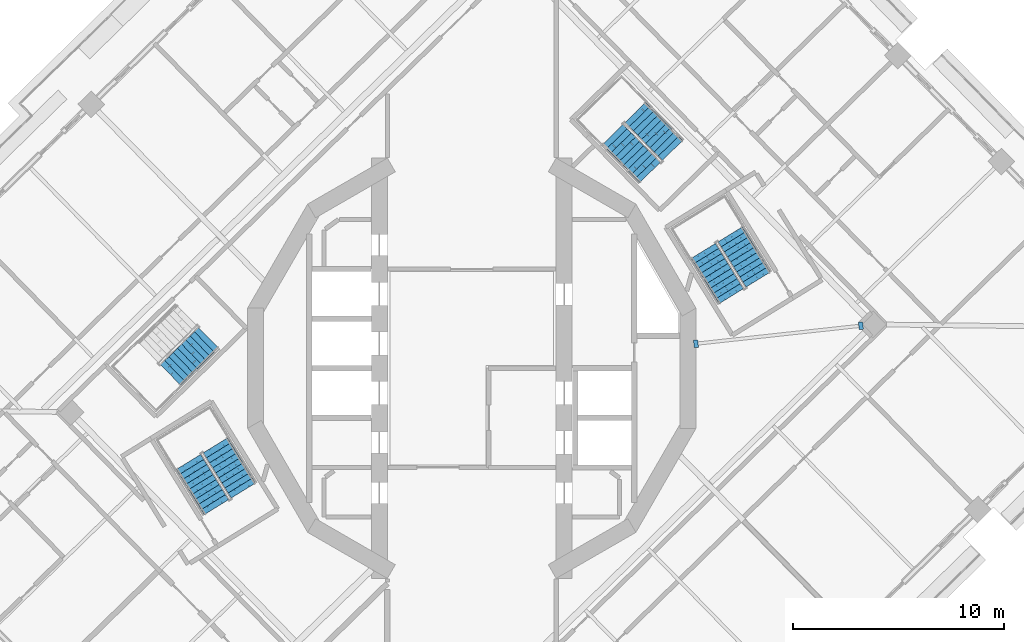
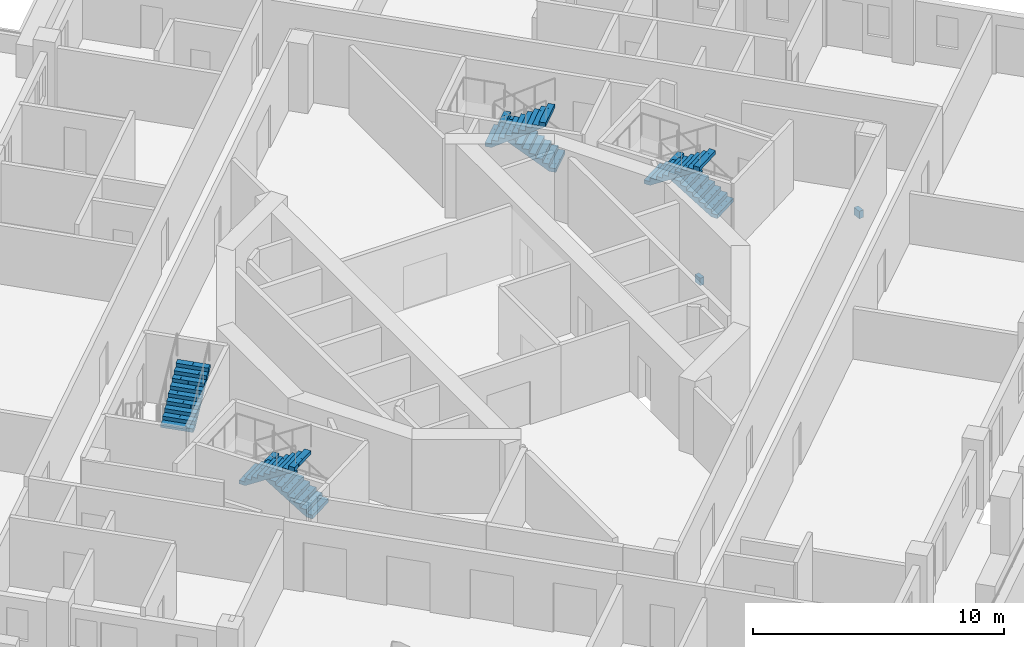
# One storey, part 11 of 17: 7 stair flights, 2 discrete accessories, 4 elements without a shape of their own.
"""IFC4 building model written with IfcOpenShell, lengths in metres."""

from ifc_helpers import new_model, si_unit, direction, frame, origin, place, context, subcontext, project, spatial, polyline, outline, extrude, material, layer, layer_set, type_object, element, aggregate, save


model = new_model("IFC4")

# Units and contexts
model_context = context("Model", 3, precision=1e-05, world=origin(), true_north=direction((0.0, 1.0)))
body_context = subcontext(model_context, "Body", "Model", "MODEL_VIEW")
ifc_project = project(units=[si_unit("LENGTHUNIT", "METRE"), si_unit("AREAUNIT", "SQUARE_METRE"), si_unit("VOLUMEUNIT", "CUBIC_METRE"), si_unit("PLANEANGLEUNIT", "RADIAN"), si_unit("MASSUNIT", "GRAM", prefix="KILO")], contexts=[model_context])

# Site, building, storey
site_placement = place(None, origin())
site = spatial("IfcSite", under=ifc_project, at=site_placement, CompositionType="ELEMENT")
building_placement = place(site_placement, origin())
building = spatial("IfcBuilding", under=site, at=building_placement, Name="Cantera Rosa Tower", CompositionType="ELEMENT")
storey_placement = place(building_placement, frame((0.0, 0.0, 237.800048828125)))
storey = spatial("IfcBuildingStorey", under=building, at=storey_placement, Name="L52", CompositionType="ELEMENT", Elevation=237.800048828125)

# Stair, stair flights
ifc_material_1 = material(Name="Concrete C35/45", Category="concrete")
stair_type = type_object("IfcStairType", Name="EXIT STAIR 1350 DOGLEG", PredefinedType="HALF_TURN_STAIR", material=ifc_material_1)
stair_1_placement = place(storey_placement, origin())
stair_1 = element("IfcStair", 1, at=stair_1_placement, inside=storey, type_object=stair_type, Name="L52 ST-41", PredefinedType="HALF_TURN_STAIR")
ifc_material_2 = material(Name="Concrete C35/45", Category="concrete")
stair_flight_type = type_object("IfcStairFlightType", Name="STAIR FLIGHT 1350 R20x180", PredefinedType="STRAIGHT", material=ifc_material_2)
stair_flight_1_placement = place(storey_placement, frame((13.5732421875, 4.2021484375, 0.0), z_axis=(0.0, 0.0, 1.0), x_axis=(-0.524976585286, 0.851116669383, 0.0)))
stair_flight_1 = element("IfcStairFlight", 2, at=stair_flight_1_placement, type_object=stair_flight_type, Name="ST-41 flight 1", NumberOfRisers=10, NumberOfTreads=9, PredefinedType="STRAIGHT", RiserHeight=0.18, TreadLength=0.28, context=body_context, shape_type="SweptSolid", body=[
    extrude(outline(polyline([(0.0, 0.0), (0.0, 0.179931640625), (0.280029296875, 0.179931640625), (0.280029296875, 0.360107421875), (0.56005859375, 0.360107421875), (0.56005859375, 0.5400390625), (0.840087890625, 0.5400390625), (0.840087890625, 0.719970703125), (1.1201171875, 0.719970703125), (1.1201171875, 0.89990234375), (1.39990234375, 0.89990234375), (1.39990234375, 1.080078125), (1.679931640625, 1.080078125), (1.679931640625, 1.260009765625), (1.9599609375, 1.260009765625), (1.9599609375, 1.43994140625), (2.239990234375, 1.43994140625), (2.239990234375, 1.6201171875), (2.52001953125, 1.6201171875), (2.52001953125, 1.800048828125), (2.52001953125, 1.44189453125), (0.277099609375, 0.0), (0.0, 0.0)])), frame((0.0, 0.675048828125, 0.0), z_axis=(0.0, -1.0, 0.0), x_axis=(1.0, 0.0, 0.0)), (0.0, 0.0, 1.0), 0.3359375),
    extrude(outline(polyline([(0.0, 0.0), (0.0, 0.179931640625), (0.280029296875, 0.179931640625), (0.280029296875, 0.360107421875), (0.56005859375, 0.360107421875), (0.56005859375, 0.5400390625), (0.840087890625, 0.5400390625), (0.840087890625, 0.719970703125), (1.1201171875, 0.719970703125), (1.1201171875, 0.89990234375), (1.39990234375, 0.89990234375), (1.39990234375, 1.080078125), (1.679931640625, 1.080078125), (1.679931640625, 1.260009765625), (1.9599609375, 1.260009765625), (1.9599609375, 1.43994140625), (2.239990234375, 1.43994140625), (2.239990234375, 1.6201171875), (2.52001953125, 1.6201171875), (2.52001953125, 1.800048828125), (2.52001953125, 1.44189453125), (0.277099609375, 0.0), (0.0, 0.0)])), frame((0.0, 0.337158203125, 0.0), z_axis=(0.0, -1.0, 0.0), x_axis=(1.0, 0.0, 0.0)), (0.0, 0.0, 1.0), 0.3359375),
    extrude(outline(polyline([(0.0, 0.0), (0.0, 0.179931640625), (0.280029296875, 0.179931640625), (0.280029296875, 0.360107421875), (0.56005859375, 0.360107421875), (0.56005859375, 0.5400390625), (0.840087890625, 0.5400390625), (0.840087890625, 0.719970703125), (1.1201171875, 0.719970703125), (1.1201171875, 0.89990234375), (1.39990234375, 0.89990234375), (1.39990234375, 1.080078125), (1.679931640625, 1.080078125), (1.679931640625, 1.260009765625), (1.9599609375, 1.260009765625), (1.9599609375, 1.43994140625), (2.239990234375, 1.43994140625), (2.239990234375, 1.6201171875), (2.52001953125, 1.6201171875), (2.52001953125, 1.800048828125), (2.52001953125, 1.44189453125), (0.277099609375, 0.0), (0.0, 0.0)])), frame((0.0, -0.000732421875, 0.0), z_axis=(0.0, -1.0, 0.0), x_axis=(1.0, 0.0, 0.0)), (0.0, 0.0, 1.0), 0.3359375),
    extrude(outline(polyline([(0.0, 0.0), (0.0, 0.179931640625), (0.280029296875, 0.179931640625), (0.280029296875, 0.360107421875), (0.56005859375, 0.360107421875), (0.56005859375, 0.5400390625), (0.840087890625, 0.5400390625), (0.840087890625, 0.719970703125), (1.1201171875, 0.719970703125), (1.1201171875, 0.89990234375), (1.39990234375, 0.89990234375), (1.39990234375, 1.080078125), (1.679931640625, 1.080078125), (1.679931640625, 1.260009765625), (1.9599609375, 1.260009765625), (1.9599609375, 1.43994140625), (2.239990234375, 1.43994140625), (2.239990234375, 1.6201171875), (2.52001953125, 1.6201171875), (2.52001953125, 1.800048828125), (2.52001953125, 1.44189453125), (0.277099609375, 0.0), (0.0, 0.0)])), frame((0.0, -0.338623046875, 0.0), z_axis=(0.0, -1.0, 0.0), x_axis=(1.0, 0.0, 0.0)), (0.0, 0.0, 1.0), 0.3359375),
])
stair_flight_2_placement = place(storey_placement, frame((10.9736328125, 5.5595703125, 1.800048828125), z_axis=(0.0, 0.0, 1.0), x_axis=(0.524976585286, -0.851116669383, 0.0)))
stair_flight_2 = element("IfcStairFlight", 3, at=stair_flight_2_placement, type_object=stair_flight_type, Name="ST-41 flight 2", NumberOfRisers=10, NumberOfTreads=9, PredefinedType="STRAIGHT", RiserHeight=0.18, TreadLength=0.28, context=body_context, shape_type="SweptSolid", body=[
    extrude(outline(polyline([(0.0, 0.0), (0.0, 0.179931640625), (0.280029296875, 0.179931640625), (0.280029296875, 0.360107421875), (0.56005859375, 0.360107421875), (0.56005859375, 0.5400390625), (0.840087890625, 0.5400390625), (0.840087890625, 0.719970703125), (1.1201171875, 0.719970703125), (1.1201171875, 0.89990234375), (1.39990234375, 0.89990234375), (1.39990234375, 1.080078125), (1.679931640625, 1.080078125), (1.679931640625, 1.260009765625), (1.9599609375, 1.260009765625), (1.9599609375, 1.43994140625), (2.239990234375, 1.43994140625), (2.239990234375, 1.6201171875), (2.52001953125, 1.6201171875), (2.52001953125, 1.800048828125), (2.52001953125, 1.44189453125), (0.277099609375, 0.0), (0.0, 0.0)])), frame((0.0, 0.675048828125, 0.0), z_axis=(0.0, -1.0, 0.0), x_axis=(1.0, 0.0, 0.0)), (0.0, 0.0, 1.0), 0.3359375),
    extrude(outline(polyline([(0.0, 0.0), (0.0, 0.179931640625), (0.280029296875, 0.179931640625), (0.280029296875, 0.360107421875), (0.56005859375, 0.360107421875), (0.56005859375, 0.5400390625), (0.840087890625, 0.5400390625), (0.840087890625, 0.719970703125), (1.1201171875, 0.719970703125), (1.1201171875, 0.89990234375), (1.39990234375, 0.89990234375), (1.39990234375, 1.080078125), (1.679931640625, 1.080078125), (1.679931640625, 1.260009765625), (1.9599609375, 1.260009765625), (1.9599609375, 1.43994140625), (2.239990234375, 1.43994140625), (2.239990234375, 1.6201171875), (2.52001953125, 1.6201171875), (2.52001953125, 1.800048828125), (2.52001953125, 1.44189453125), (0.277099609375, 0.0), (0.0, 0.0)])), frame((0.0, 0.337158203125, 0.0), z_axis=(0.0, -1.0, 0.0), x_axis=(1.0, 0.0, 0.0)), (0.0, 0.0, 1.0), 0.3359375),
    extrude(outline(polyline([(0.0, 0.0), (0.0, 0.179931640625), (0.280029296875, 0.179931640625), (0.280029296875, 0.360107421875), (0.56005859375, 0.360107421875), (0.56005859375, 0.5400390625), (0.840087890625, 0.5400390625), (0.840087890625, 0.719970703125), (1.1201171875, 0.719970703125), (1.1201171875, 0.89990234375), (1.39990234375, 0.89990234375), (1.39990234375, 1.080078125), (1.679931640625, 1.080078125), (1.679931640625, 1.260009765625), (1.9599609375, 1.260009765625), (1.9599609375, 1.43994140625), (2.239990234375, 1.43994140625), (2.239990234375, 1.6201171875), (2.52001953125, 1.6201171875), (2.52001953125, 1.800048828125), (2.52001953125, 1.44189453125), (0.277099609375, 0.0), (0.0, 0.0)])), frame((0.0, -0.000732421875, 0.0), z_axis=(0.0, -1.0, 0.0), x_axis=(1.0, 0.0, 0.0)), (0.0, 0.0, 1.0), 0.3359375),
    extrude(outline(polyline([(0.0, 0.0), (0.0, 0.179931640625), (0.280029296875, 0.179931640625), (0.280029296875, 0.360107421875), (0.56005859375, 0.360107421875), (0.56005859375, 0.5400390625), (0.840087890625, 0.5400390625), (0.840087890625, 0.719970703125), (1.1201171875, 0.719970703125), (1.1201171875, 0.89990234375), (1.39990234375, 0.89990234375), (1.39990234375, 1.080078125), (1.679931640625, 1.080078125), (1.679931640625, 1.260009765625), (1.9599609375, 1.260009765625), (1.9599609375, 1.43994140625), (2.239990234375, 1.43994140625), (2.239990234375, 1.6201171875), (2.52001953125, 1.6201171875), (2.52001953125, 1.800048828125), (2.52001953125, 1.44189453125), (0.277099609375, 0.0), (0.0, 0.0)])), frame((0.0, -0.338623046875, 0.0), z_axis=(0.0, -1.0, 0.0), x_axis=(1.0, 0.0, 0.0)), (0.0, 0.0, 1.0), 0.3359375),
])
aggregate(stair_1, [stair_flight_1, stair_flight_2])

stair_2_placement = place(storey_placement, origin())
stair_2 = element("IfcStair", 4, at=stair_2_placement, inside=storey, type_object=stair_type, Name="L52 ST-42", PredefinedType="HALF_TURN_STAIR")
stair_flight_3_placement = place(storey_placement, frame((9.514892578125, 10.32275390625, 0.0), z_axis=(0.0, 0.0, 1.0), x_axis=(-0.698831536207, 0.715286295132, 0.0)))
stair_flight_3 = element("IfcStairFlight", 5, at=stair_flight_3_placement, type_object=stair_flight_type, Name="ST-42 flight 1", NumberOfRisers=10, NumberOfTreads=9, PredefinedType="STRAIGHT", RiserHeight=0.18, TreadLength=0.28, context=body_context, shape_type="SweptSolid", body=[
    extrude(outline(polyline([(0.0, 0.0), (0.0, 0.179931640625), (0.280029296875, 0.179931640625), (0.280029296875, 0.360107421875), (0.56005859375, 0.360107421875), (0.56005859375, 0.5400390625), (0.840087890625, 0.5400390625), (0.840087890625, 0.719970703125), (1.1201171875, 0.719970703125), (1.1201171875, 0.89990234375), (1.39990234375, 0.89990234375), (1.39990234375, 1.080078125), (1.679931640625, 1.080078125), (1.679931640625, 1.260009765625), (1.9599609375, 1.260009765625), (1.9599609375, 1.43994140625), (2.239990234375, 1.43994140625), (2.239990234375, 1.6201171875), (2.52001953125, 1.6201171875), (2.52001953125, 1.800048828125), (2.52001953125, 1.44189453125), (0.277099609375, 0.0), (0.0, 0.0)])), frame((0.0, 0.675048828125, 0.0), z_axis=(0.0, -1.0, 0.0), x_axis=(1.0, 0.0, 0.0)), (0.0, 0.0, 1.0), 0.3359375),
    extrude(outline(polyline([(0.0, 0.0), (0.0, 0.179931640625), (0.280029296875, 0.179931640625), (0.280029296875, 0.360107421875), (0.56005859375, 0.360107421875), (0.56005859375, 0.5400390625), (0.840087890625, 0.5400390625), (0.840087890625, 0.719970703125), (1.1201171875, 0.719970703125), (1.1201171875, 0.89990234375), (1.39990234375, 0.89990234375), (1.39990234375, 1.080078125), (1.679931640625, 1.080078125), (1.679931640625, 1.260009765625), (1.9599609375, 1.260009765625), (1.9599609375, 1.43994140625), (2.239990234375, 1.43994140625), (2.239990234375, 1.6201171875), (2.52001953125, 1.6201171875), (2.52001953125, 1.800048828125), (2.52001953125, 1.44189453125), (0.277099609375, 0.0), (0.0, 0.0)])), frame((0.0, 0.337158203125, 0.0), z_axis=(0.0, -1.0, 0.0), x_axis=(1.0, 0.0, 0.0)), (0.0, 0.0, 1.0), 0.3359375),
    extrude(outline(polyline([(0.0, 0.0), (0.0, 0.179931640625), (0.280029296875, 0.179931640625), (0.280029296875, 0.360107421875), (0.56005859375, 0.360107421875), (0.56005859375, 0.5400390625), (0.840087890625, 0.5400390625), (0.840087890625, 0.719970703125), (1.1201171875, 0.719970703125), (1.1201171875, 0.89990234375), (1.39990234375, 0.89990234375), (1.39990234375, 1.080078125), (1.679931640625, 1.080078125), (1.679931640625, 1.260009765625), (1.9599609375, 1.260009765625), (1.9599609375, 1.43994140625), (2.239990234375, 1.43994140625), (2.239990234375, 1.6201171875), (2.52001953125, 1.6201171875), (2.52001953125, 1.800048828125), (2.52001953125, 1.44189453125), (0.277099609375, 0.0), (0.0, 0.0)])), frame((0.0, -0.000732421875, 0.0), z_axis=(0.0, -1.0, 0.0), x_axis=(1.0, 0.0, 0.0)), (0.0, 0.0, 1.0), 0.3359375),
    extrude(outline(polyline([(0.0, 0.0), (0.0, 0.179931640625), (0.280029296875, 0.179931640625), (0.280029296875, 0.360107421875), (0.56005859375, 0.360107421875), (0.56005859375, 0.5400390625), (0.840087890625, 0.5400390625), (0.840087890625, 0.719970703125), (1.1201171875, 0.719970703125), (1.1201171875, 0.89990234375), (1.39990234375, 0.89990234375), (1.39990234375, 1.080078125), (1.679931640625, 1.080078125), (1.679931640625, 1.260009765625), (1.9599609375, 1.260009765625), (1.9599609375, 1.43994140625), (2.239990234375, 1.43994140625), (2.239990234375, 1.6201171875), (2.52001953125, 1.6201171875), (2.52001953125, 1.800048828125), (2.52001953125, 1.44189453125), (0.277099609375, 0.0), (0.0, 0.0)])), frame((0.0, -0.338623046875, 0.0), z_axis=(0.0, -1.0, 0.0), x_axis=(1.0, 0.0, 0.0)), (0.0, 0.0, 1.0), 0.3359375),
])
stair_flight_4_placement = place(storey_placement, frame((6.680908203125, 11.076904296875, 1.800048828125), z_axis=(0.0, 0.0, 1.0), x_axis=(0.698831536207, -0.715286295132, 0.0)))
stair_flight_4 = element("IfcStairFlight", 6, at=stair_flight_4_placement, type_object=stair_flight_type, Name="ST-42 flight 2", NumberOfRisers=10, NumberOfTreads=9, PredefinedType="STRAIGHT", RiserHeight=0.18, TreadLength=0.28, context=body_context, shape_type="SweptSolid", body=[
    extrude(outline(polyline([(0.0, 0.0), (0.0, 0.179931640625), (0.280029296875, 0.179931640625), (0.280029296875, 0.360107421875), (0.56005859375, 0.360107421875), (0.56005859375, 0.5400390625), (0.840087890625, 0.5400390625), (0.840087890625, 0.719970703125), (1.1201171875, 0.719970703125), (1.1201171875, 0.89990234375), (1.39990234375, 0.89990234375), (1.39990234375, 1.080078125), (1.679931640625, 1.080078125), (1.679931640625, 1.260009765625), (1.9599609375, 1.260009765625), (1.9599609375, 1.43994140625), (2.239990234375, 1.43994140625), (2.239990234375, 1.6201171875), (2.52001953125, 1.6201171875), (2.52001953125, 1.800048828125), (2.52001953125, 1.44189453125), (0.277099609375, 0.0), (0.0, 0.0)])), frame((0.0, 0.675048828125, 0.0), z_axis=(0.0, -1.0, 0.0), x_axis=(1.0, 0.0, 0.0)), (0.0, 0.0, 1.0), 0.3359375),
    extrude(outline(polyline([(0.0, 0.0), (0.0, 0.179931640625), (0.280029296875, 0.179931640625), (0.280029296875, 0.360107421875), (0.56005859375, 0.360107421875), (0.56005859375, 0.5400390625), (0.840087890625, 0.5400390625), (0.840087890625, 0.719970703125), (1.1201171875, 0.719970703125), (1.1201171875, 0.89990234375), (1.39990234375, 0.89990234375), (1.39990234375, 1.080078125), (1.679931640625, 1.080078125), (1.679931640625, 1.260009765625), (1.9599609375, 1.260009765625), (1.9599609375, 1.43994140625), (2.239990234375, 1.43994140625), (2.239990234375, 1.6201171875), (2.52001953125, 1.6201171875), (2.52001953125, 1.800048828125), (2.52001953125, 1.44189453125), (0.277099609375, 0.0), (0.0, 0.0)])), frame((0.0, 0.337158203125, 0.0), z_axis=(0.0, -1.0, 0.0), x_axis=(1.0, 0.0, 0.0)), (0.0, 0.0, 1.0), 0.3359375),
    extrude(outline(polyline([(0.0, 0.0), (0.0, 0.179931640625), (0.280029296875, 0.179931640625), (0.280029296875, 0.360107421875), (0.56005859375, 0.360107421875), (0.56005859375, 0.5400390625), (0.840087890625, 0.5400390625), (0.840087890625, 0.719970703125), (1.1201171875, 0.719970703125), (1.1201171875, 0.89990234375), (1.39990234375, 0.89990234375), (1.39990234375, 1.080078125), (1.679931640625, 1.080078125), (1.679931640625, 1.260009765625), (1.9599609375, 1.260009765625), (1.9599609375, 1.43994140625), (2.239990234375, 1.43994140625), (2.239990234375, 1.6201171875), (2.52001953125, 1.6201171875), (2.52001953125, 1.800048828125), (2.52001953125, 1.44189453125), (0.277099609375, 0.0), (0.0, 0.0)])), frame((0.0, -0.000732421875, 0.0), z_axis=(0.0, -1.0, 0.0), x_axis=(1.0, 0.0, 0.0)), (0.0, 0.0, 1.0), 0.3359375),
    extrude(outline(polyline([(0.0, 0.0), (0.0, 0.179931640625), (0.280029296875, 0.179931640625), (0.280029296875, 0.360107421875), (0.56005859375, 0.360107421875), (0.56005859375, 0.5400390625), (0.840087890625, 0.5400390625), (0.840087890625, 0.719970703125), (1.1201171875, 0.719970703125), (1.1201171875, 0.89990234375), (1.39990234375, 0.89990234375), (1.39990234375, 1.080078125), (1.679931640625, 1.080078125), (1.679931640625, 1.260009765625), (1.9599609375, 1.260009765625), (1.9599609375, 1.43994140625), (2.239990234375, 1.43994140625), (2.239990234375, 1.6201171875), (2.52001953125, 1.6201171875), (2.52001953125, 1.800048828125), (2.52001953125, 1.44189453125), (0.277099609375, 0.0), (0.0, 0.0)])), frame((0.0, -0.338623046875, 0.0), z_axis=(0.0, -1.0, 0.0), x_axis=(1.0, 0.0, 0.0)), (0.0, 0.0, 1.0), 0.3359375),
])
aggregate(stair_2, [stair_flight_3, stair_flight_4])

# Stair, stair flight
stair_3_placement = place(storey_placement, origin())
stair_3 = element("IfcStair", 7, at=stair_3_placement, inside=storey, type_object=stair_type, Name="L52 ST-43", PredefinedType="HALF_TURN_STAIR")
stair_flight_5_placement = place(storey_placement, frame((-14.277099609375, -0.319091796875, 1.800048828125), z_axis=(0.0, 0.0, 1.0), x_axis=(0.715286295132, 0.698831536207, 0.0)))
stair_flight_5 = element("IfcStairFlight", 8, at=stair_flight_5_placement, type_object=stair_flight_type, Name="ST-43 flight 2", NumberOfRisers=10, NumberOfTreads=9, PredefinedType="STRAIGHT", RiserHeight=0.18, TreadLength=0.28, context=body_context, shape_type="SweptSolid", body=[
    extrude(outline(polyline([(0.0, 0.0), (0.0, 0.179931640625), (0.280029296875, 0.179931640625), (0.280029296875, 0.360107421875), (0.56005859375, 0.360107421875), (0.56005859375, 0.5400390625), (0.840087890625, 0.5400390625), (0.840087890625, 0.719970703125), (1.1201171875, 0.719970703125), (1.1201171875, 0.89990234375), (1.39990234375, 0.89990234375), (1.39990234375, 1.080078125), (1.679931640625, 1.080078125), (1.679931640625, 1.260009765625), (1.9599609375, 1.260009765625), (1.9599609375, 1.43994140625), (2.239990234375, 1.43994140625), (2.239990234375, 1.6201171875), (2.52001953125, 1.6201171875), (2.52001953125, 1.800048828125), (2.52001953125, 1.44189453125), (0.277099609375, 0.0), (0.0, 0.0)])), frame((0.0, 0.675048828125, 0.0), z_axis=(0.0, -1.0, 0.0), x_axis=(1.0, 0.0, 0.0)), (0.0, 0.0, 1.0), 0.3359375),
    extrude(outline(polyline([(0.0, 0.0), (0.0, 0.179931640625), (0.280029296875, 0.179931640625), (0.280029296875, 0.360107421875), (0.56005859375, 0.360107421875), (0.56005859375, 0.5400390625), (0.840087890625, 0.5400390625), (0.840087890625, 0.719970703125), (1.1201171875, 0.719970703125), (1.1201171875, 0.89990234375), (1.39990234375, 0.89990234375), (1.39990234375, 1.080078125), (1.679931640625, 1.080078125), (1.679931640625, 1.260009765625), (1.9599609375, 1.260009765625), (1.9599609375, 1.43994140625), (2.239990234375, 1.43994140625), (2.239990234375, 1.6201171875), (2.52001953125, 1.6201171875), (2.52001953125, 1.800048828125), (2.52001953125, 1.44189453125), (0.277099609375, 0.0), (0.0, 0.0)])), frame((0.0, 0.337158203125, 0.0), z_axis=(0.0, -1.0, 0.0), x_axis=(1.0, 0.0, 0.0)), (0.0, 0.0, 1.0), 0.3359375),
    extrude(outline(polyline([(0.0, 0.0), (0.0, 0.179931640625), (0.280029296875, 0.179931640625), (0.280029296875, 0.360107421875), (0.56005859375, 0.360107421875), (0.56005859375, 0.5400390625), (0.840087890625, 0.5400390625), (0.840087890625, 0.719970703125), (1.1201171875, 0.719970703125), (1.1201171875, 0.89990234375), (1.39990234375, 0.89990234375), (1.39990234375, 1.080078125), (1.679931640625, 1.080078125), (1.679931640625, 1.260009765625), (1.9599609375, 1.260009765625), (1.9599609375, 1.43994140625), (2.239990234375, 1.43994140625), (2.239990234375, 1.6201171875), (2.52001953125, 1.6201171875), (2.52001953125, 1.800048828125), (2.52001953125, 1.44189453125), (0.277099609375, 0.0), (0.0, 0.0)])), frame((0.0, -0.000732421875, 0.0), z_axis=(0.0, -1.0, 0.0), x_axis=(1.0, 0.0, 0.0)), (0.0, 0.0, 1.0), 0.3359375),
    extrude(outline(polyline([(0.0, 0.0), (0.0, 0.179931640625), (0.280029296875, 0.179931640625), (0.280029296875, 0.360107421875), (0.56005859375, 0.360107421875), (0.56005859375, 0.5400390625), (0.840087890625, 0.5400390625), (0.840087890625, 0.719970703125), (1.1201171875, 0.719970703125), (1.1201171875, 0.89990234375), (1.39990234375, 0.89990234375), (1.39990234375, 1.080078125), (1.679931640625, 1.080078125), (1.679931640625, 1.260009765625), (1.9599609375, 1.260009765625), (1.9599609375, 1.43994140625), (2.239990234375, 1.43994140625), (2.239990234375, 1.6201171875), (2.52001953125, 1.6201171875), (2.52001953125, 1.800048828125), (2.52001953125, 1.44189453125), (0.277099609375, 0.0), (0.0, 0.0)])), frame((0.0, -0.338623046875, 0.0), z_axis=(0.0, -1.0, 0.0), x_axis=(1.0, 0.0, 0.0)), (0.0, 0.0, 1.0), 0.3359375),
])
aggregate(stair_3, [stair_flight_5])

# Stair, stair flights
stair_4_placement = place(storey_placement, origin())
stair_4 = element("IfcStair", 9, at=stair_4_placement, inside=storey, type_object=stair_type, Name="L52 ST-44", PredefinedType="HALF_TURN_STAIR")
stair_flight_6_placement = place(storey_placement, frame((-10.82666015625, -5.7978515625, 0.0), z_axis=(0.0, 0.0, 1.0), x_axis=(-0.524976585286, 0.851116669383, 0.0)))
stair_flight_6 = element("IfcStairFlight", 10, at=stair_flight_6_placement, type_object=stair_flight_type, Name="ST-44 flight 1", NumberOfRisers=10, NumberOfTreads=9, PredefinedType="STRAIGHT", RiserHeight=0.18, TreadLength=0.28, context=body_context, shape_type="SweptSolid", body=[
    extrude(outline(polyline([(0.0, 0.0), (0.0, 0.179931640625), (0.280029296875, 0.179931640625), (0.280029296875, 0.360107421875), (0.56005859375, 0.360107421875), (0.56005859375, 0.5400390625), (0.840087890625, 0.5400390625), (0.840087890625, 0.719970703125), (1.1201171875, 0.719970703125), (1.1201171875, 0.89990234375), (1.39990234375, 0.89990234375), (1.39990234375, 1.080078125), (1.679931640625, 1.080078125), (1.679931640625, 1.260009765625), (1.9599609375, 1.260009765625), (1.9599609375, 1.43994140625), (2.239990234375, 1.43994140625), (2.239990234375, 1.6201171875), (2.52001953125, 1.6201171875), (2.52001953125, 1.800048828125), (2.52001953125, 1.44189453125), (0.277099609375, 0.0), (0.0, 0.0)])), frame((0.0, 0.675048828125, 0.0), z_axis=(0.0, -1.0, 0.0), x_axis=(1.0, 0.0, 0.0)), (0.0, 0.0, 1.0), 0.3359375),
    extrude(outline(polyline([(0.0, 0.0), (0.0, 0.179931640625), (0.280029296875, 0.179931640625), (0.280029296875, 0.360107421875), (0.56005859375, 0.360107421875), (0.56005859375, 0.5400390625), (0.840087890625, 0.5400390625), (0.840087890625, 0.719970703125), (1.1201171875, 0.719970703125), (1.1201171875, 0.89990234375), (1.39990234375, 0.89990234375), (1.39990234375, 1.080078125), (1.679931640625, 1.080078125), (1.679931640625, 1.260009765625), (1.9599609375, 1.260009765625), (1.9599609375, 1.43994140625), (2.239990234375, 1.43994140625), (2.239990234375, 1.6201171875), (2.52001953125, 1.6201171875), (2.52001953125, 1.800048828125), (2.52001953125, 1.44189453125), (0.277099609375, 0.0), (0.0, 0.0)])), frame((0.0, 0.337158203125, 0.0), z_axis=(0.0, -1.0, 0.0), x_axis=(1.0, 0.0, 0.0)), (0.0, 0.0, 1.0), 0.3359375),
    extrude(outline(polyline([(0.0, 0.0), (0.0, 0.179931640625), (0.280029296875, 0.179931640625), (0.280029296875, 0.360107421875), (0.56005859375, 0.360107421875), (0.56005859375, 0.5400390625), (0.840087890625, 0.5400390625), (0.840087890625, 0.719970703125), (1.1201171875, 0.719970703125), (1.1201171875, 0.89990234375), (1.39990234375, 0.89990234375), (1.39990234375, 1.080078125), (1.679931640625, 1.080078125), (1.679931640625, 1.260009765625), (1.9599609375, 1.260009765625), (1.9599609375, 1.43994140625), (2.239990234375, 1.43994140625), (2.239990234375, 1.6201171875), (2.52001953125, 1.6201171875), (2.52001953125, 1.800048828125), (2.52001953125, 1.44189453125), (0.277099609375, 0.0), (0.0, 0.0)])), frame((0.0, -0.000732421875, 0.0), z_axis=(0.0, -1.0, 0.0), x_axis=(1.0, 0.0, 0.0)), (0.0, 0.0, 1.0), 0.3359375),
    extrude(outline(polyline([(0.0, 0.0), (0.0, 0.179931640625), (0.280029296875, 0.179931640625), (0.280029296875, 0.360107421875), (0.56005859375, 0.360107421875), (0.56005859375, 0.5400390625), (0.840087890625, 0.5400390625), (0.840087890625, 0.719970703125), (1.1201171875, 0.719970703125), (1.1201171875, 0.89990234375), (1.39990234375, 0.89990234375), (1.39990234375, 1.080078125), (1.679931640625, 1.080078125), (1.679931640625, 1.260009765625), (1.9599609375, 1.260009765625), (1.9599609375, 1.43994140625), (2.239990234375, 1.43994140625), (2.239990234375, 1.6201171875), (2.52001953125, 1.6201171875), (2.52001953125, 1.800048828125), (2.52001953125, 1.44189453125), (0.277099609375, 0.0), (0.0, 0.0)])), frame((0.0, -0.338623046875, 0.0), z_axis=(0.0, -1.0, 0.0), x_axis=(1.0, 0.0, 0.0)), (0.0, 0.0, 1.0), 0.3359375),
])
stair_flight_7_placement = place(storey_placement, frame((-13.42626953125, -4.4404296875, 1.800048828125), z_axis=(0.0, 0.0, 1.0), x_axis=(0.524976585286, -0.851116669383, 0.0)))
stair_flight_7 = element("IfcStairFlight", 11, at=stair_flight_7_placement, type_object=stair_flight_type, Name="ST-44 flight 2", NumberOfRisers=10, NumberOfTreads=9, PredefinedType="STRAIGHT", RiserHeight=0.18, TreadLength=0.28, context=body_context, shape_type="SweptSolid", body=[
    extrude(outline(polyline([(0.0, 0.0), (0.0, 0.179931640625), (0.280029296875, 0.179931640625), (0.280029296875, 0.360107421875), (0.56005859375, 0.360107421875), (0.56005859375, 0.5400390625), (0.840087890625, 0.5400390625), (0.840087890625, 0.719970703125), (1.1201171875, 0.719970703125), (1.1201171875, 0.89990234375), (1.39990234375, 0.89990234375), (1.39990234375, 1.080078125), (1.679931640625, 1.080078125), (1.679931640625, 1.260009765625), (1.9599609375, 1.260009765625), (1.9599609375, 1.43994140625), (2.239990234375, 1.43994140625), (2.239990234375, 1.6201171875), (2.52001953125, 1.6201171875), (2.52001953125, 1.800048828125), (2.52001953125, 1.44189453125), (0.277099609375, 0.0), (0.0, 0.0)])), frame((0.0, 0.675048828125, 0.0), z_axis=(0.0, -1.0, 0.0), x_axis=(1.0, 0.0, 0.0)), (0.0, 0.0, 1.0), 0.3359375),
    extrude(outline(polyline([(0.0, 0.0), (0.0, 0.179931640625), (0.280029296875, 0.179931640625), (0.280029296875, 0.360107421875), (0.56005859375, 0.360107421875), (0.56005859375, 0.5400390625), (0.840087890625, 0.5400390625), (0.840087890625, 0.719970703125), (1.1201171875, 0.719970703125), (1.1201171875, 0.89990234375), (1.39990234375, 0.89990234375), (1.39990234375, 1.080078125), (1.679931640625, 1.080078125), (1.679931640625, 1.260009765625), (1.9599609375, 1.260009765625), (1.9599609375, 1.43994140625), (2.239990234375, 1.43994140625), (2.239990234375, 1.6201171875), (2.52001953125, 1.6201171875), (2.52001953125, 1.800048828125), (2.52001953125, 1.44189453125), (0.277099609375, 0.0), (0.0, 0.0)])), frame((0.0, 0.337158203125, 0.0), z_axis=(0.0, -1.0, 0.0), x_axis=(1.0, 0.0, 0.0)), (0.0, 0.0, 1.0), 0.3359375),
    extrude(outline(polyline([(0.0, 0.0), (0.0, 0.179931640625), (0.280029296875, 0.179931640625), (0.280029296875, 0.360107421875), (0.56005859375, 0.360107421875), (0.56005859375, 0.5400390625), (0.840087890625, 0.5400390625), (0.840087890625, 0.719970703125), (1.1201171875, 0.719970703125), (1.1201171875, 0.89990234375), (1.39990234375, 0.89990234375), (1.39990234375, 1.080078125), (1.679931640625, 1.080078125), (1.679931640625, 1.260009765625), (1.9599609375, 1.260009765625), (1.9599609375, 1.43994140625), (2.239990234375, 1.43994140625), (2.239990234375, 1.6201171875), (2.52001953125, 1.6201171875), (2.52001953125, 1.800048828125), (2.52001953125, 1.44189453125), (0.277099609375, 0.0), (0.0, 0.0)])), frame((0.0, -0.000732421875, 0.0), z_axis=(0.0, -1.0, 0.0), x_axis=(1.0, 0.0, 0.0)), (0.0, 0.0, 1.0), 0.3359375),
    extrude(outline(polyline([(0.0, 0.0), (0.0, 0.179931640625), (0.280029296875, 0.179931640625), (0.280029296875, 0.360107421875), (0.56005859375, 0.360107421875), (0.56005859375, 0.5400390625), (0.840087890625, 0.5400390625), (0.840087890625, 0.719970703125), (1.1201171875, 0.719970703125), (1.1201171875, 0.89990234375), (1.39990234375, 0.89990234375), (1.39990234375, 1.080078125), (1.679931640625, 1.080078125), (1.679931640625, 1.260009765625), (1.9599609375, 1.260009765625), (1.9599609375, 1.43994140625), (2.239990234375, 1.43994140625), (2.239990234375, 1.6201171875), (2.52001953125, 1.6201171875), (2.52001953125, 1.800048828125), (2.52001953125, 1.44189453125), (0.277099609375, 0.0), (0.0, 0.0)])), frame((0.0, -0.338623046875, 0.0), z_axis=(0.0, -1.0, 0.0), x_axis=(1.0, 0.0, 0.0)), (0.0, 0.0, 1.0), 0.3359375),
])
aggregate(stair_4, [stair_flight_6, stair_flight_7])

# Discrete accessories
ifc_material_3 = material(Name="Steel ASTM A992 (Fy 345 MPa)", Category="steel")
ifc_layer = layer(ifc_material_3, 0.0400390625)
ifc_layer_set = layer_set([ifc_layer], Name="STEEL BEARING PLATE 40")
discrete_accessory_type = type_object("IfcDiscreteAccessoryType", Name="STEEL BEARING PLATE 40", PredefinedType="ANCHORPLATE", material=ifc_layer_set)
discrete_accessory_1_placement = place(storey_placement, frame((0.0, 0.0, -0.66015625)))
element("IfcDiscreteAccessory", 12, at=discrete_accessory_1_placement, inside=storey, type_object=discrete_accessory_type, Name="BEARING PLATE PG-Z4-01 end 1 L52", PredefinedType="ANCHORPLATE", context=body_context, shape_type="SweptSolid", body=[
    extrude(outline(polyline([(18.362548828125, 1.828125), (18.5615234375, 1.849853515625), (18.52294921875, 2.20166015625), (18.32421875, 2.179931640625), (18.362548828125, 1.828125)])), origin(), (0.0, 0.0, 1.0), 0.360107421875),
])
discrete_accessory_2_placement = place(storey_placement, frame((0.0, 0.0, -0.66015625)))
element("IfcDiscreteAccessory", 13, at=discrete_accessory_2_placement, inside=storey, type_object=discrete_accessory_type, Name="BEARING PLATE PG-Z4-01 end 2 L52", PredefinedType="ANCHORPLATE", context=body_context, shape_type="SweptSolid", body=[
    extrude(outline(polyline([(10.705322265625, 1.34765625), (10.506591796875, 1.325927734375), (10.544921875, 0.97412109375), (10.743896484375, 0.99560546875), (10.705322265625, 1.34765625)])), origin(), (0.0, 0.0, 1.0), 0.360107421875),
])

save(model, "model.ifc")
